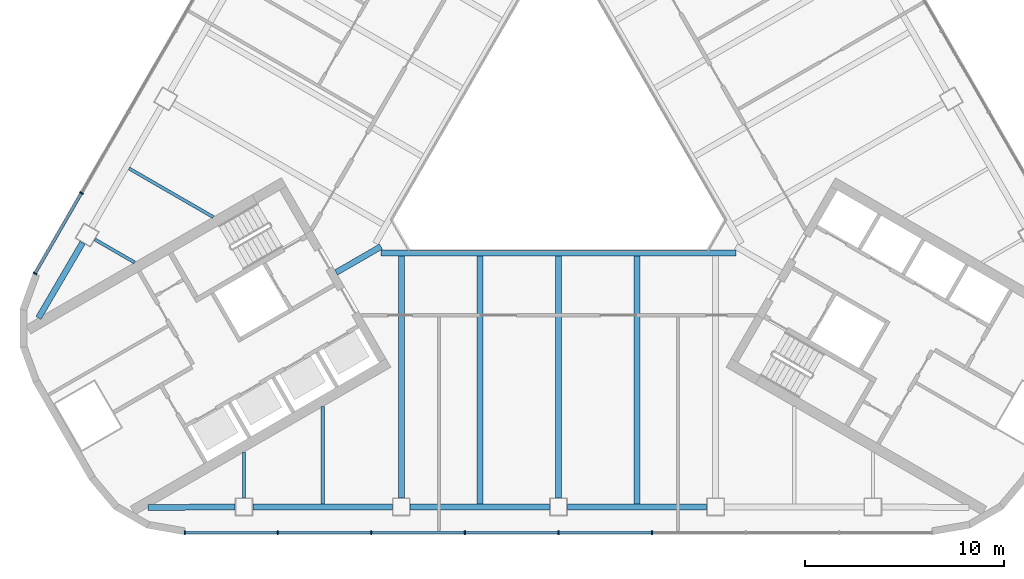
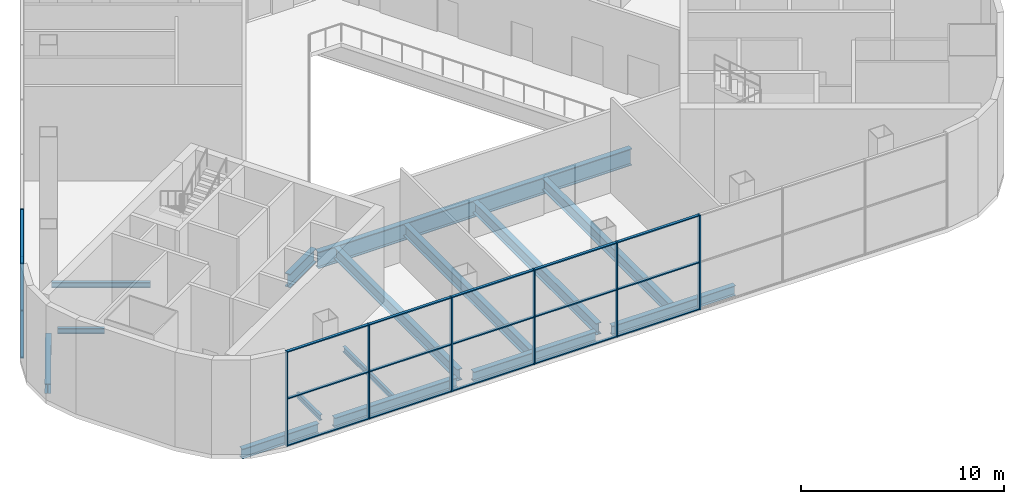
# One storey, part 2 of 14: 26 members, 15 beams, 2 elements without a shape of their own.
"""IFC4 building model written with IfcOpenShell, lengths in metres."""

import ifcopenshell
import ifcopenshell.guid

model = None  # the IFC model being written
_history = None  # IfcOwnerHistory: only IFC2X3 demands one
_inside = {}  # id of a spatial element -> (the spatial element, [elements in it])
_under = {}  # id of a project, library or spatial element -> (it, [spatial elements below it])
_declared = {}  # id of a project -> (the project, [libraries it declares])
_typed = {}  # id of a type object -> (the type object, [elements of that type])
_made_of = {}  # id of a material, layer set ... -> (it, [elements and type objects made of it])


def new_model(schema):
    """Start an empty IFC model of exactly this schema.

    Asked for "IFC4X3", IfcOpenShell would pick the latest addendum, in which some entities
    have other attributes; the version numbers below select the first issue.
    IFC2X3 requires an IfcOwnerHistory on every rooted entity: one is made here for all.
    """
    global model, _history
    if schema == "IFC4X3":
        model = ifcopenshell.file(schema_version=(4, 3, 0, 0))
    else:
        model = ifcopenshell.file(schema=schema)
    _inside.clear()
    _under.clear()
    _declared.clear()
    _typed.clear()
    _made_of.clear()
    _history = None
    if model.schema == "IFC2X3":
        org = make("IfcOrganization", Name="unknown")
        user = make(
            "IfcPersonAndOrganization",
            ThePerson=make("IfcPerson", FamilyName="unknown"),
            TheOrganization=org,
        )
        app = make(
            "IfcApplication",
            ApplicationDeveloper=org,
            Version="unknown",
            ApplicationFullName="unknown",
            ApplicationIdentifier="unknown",
        )
        _history = make(
            "IfcOwnerHistory",
            OwningUser=user,
            OwningApplication=app,
            ChangeAction="ADDED",
            CreationDate=0,
        )
    return model


def make(cls, **values):
    """One entity of the class cls with the attributes given. An attribute that is None is left unset."""
    return model.create_entity(
        cls, **{name: value for name, value in values.items() if value is not None}
    )


def rooted(cls, **values):
    """An entity with a GlobalId (a new one), such as an element, a storey or a relation."""
    return make(cls, GlobalId=ifcopenshell.guid.new(), OwnerHistory=_history, **values)


def si_unit(unit_type, name, prefix=None):
    """IfcSIUnit, for example si_unit("LENGTHUNIT", "METRE", prefix="MILLI")."""
    return make("IfcSIUnit", UnitType=unit_type, Prefix=prefix, Name=name)


def assignment(units):
    """IfcUnitAssignment: the units of a project."""
    return None if units is None else make("IfcUnitAssignment", Units=units)


def point(xyz):
    """IfcCartesianPoint."""
    return None if xyz is None else make("IfcCartesianPoint", Coordinates=xyz)


def direction(xyz):
    """IfcDirection."""
    return None if xyz is None else make("IfcDirection", DirectionRatios=xyz)


def frame(location, z_axis=None, x_axis=None):
    """IfcAxis2Placement3D, a coordinate frame: its origin and axes. An axis left out is left unset."""
    return make(
        "IfcAxis2Placement3D",
        Location=point(location),
        Axis=direction(z_axis),
        RefDirection=direction(x_axis),
    )


def frame_2d(location, x_axis=None):
    """IfcAxis2Placement2D, a coordinate frame in the plane: its origin and x axis."""
    return make(
        "IfcAxis2Placement2D", Location=point(location), RefDirection=direction(x_axis)
    )


def origin():
    """The frame at (0, 0, 0) with its axes left unset."""
    return frame((0.0, 0.0, 0.0))


def origin_2d():
    """The frame at (0, 0) in the plane with its x axis left unset."""
    return frame_2d((0.0, 0.0))


def place(relative_to, where):
    """IfcLocalPlacement: puts the frame where relative to a parent placement (None: the world)."""
    return make(
        "IfcLocalPlacement", PlacementRelTo=relative_to, RelativePlacement=where
    )


def context(
    kind, dimensions, precision=None, world=None, true_north=None, identifier=None
):
    """IfcGeometricRepresentationContext, for example the 3D "Model" context."""
    return make(
        "IfcGeometricRepresentationContext",
        ContextIdentifier=identifier,
        ContextType=kind,
        CoordinateSpaceDimension=dimensions,
        Precision=precision,
        WorldCoordinateSystem=world,
        TrueNorth=true_north,
    )


def subcontext(parent, identifier, kind, view, scale=None):
    """IfcGeometricRepresentationSubContext, for example "Body" below "Model"."""
    return make(
        "IfcGeometricRepresentationSubContext",
        ContextIdentifier=identifier,
        ContextType=kind,
        ParentContext=parent,
        TargetScale=scale,
        TargetView=view,
    )


def project(units=None, contexts=None):
    """IfcProject with its units and contexts."""
    return rooted(
        "IfcProject",
        Name="project",
        RepresentationContexts=contexts,
        UnitsInContext=assignment(units),
    )


def spatial(cls, under=None, at=None, **own):
    """A site, building, storey or space (cls), placed at a placement, below another one or the project."""
    s = rooted(cls, ObjectPlacement=at, **own)
    if under is not None:
        _under.setdefault(under.id(), (under, []))[1].append(s)
    return s


def profile(cls, at=None, kind="AREA", **sizes):
    """A parametric profile (cls). Its sizes go by their IFC names, for example OverallWidth=200.0."""
    return make(cls, ProfileType=kind, Position=at, **sizes)


def rectangle(**sizes):
    """IfcRectangleProfileDef."""
    return profile("IfcRectangleProfileDef", **sizes)


def i_section(**sizes):
    """IfcIShapeProfileDef."""
    return profile("IfcIShapeProfileDef", **sizes)


def extrude(swept, where, along, depth):
    """IfcExtrudedAreaSolid: the profile swept, set in the frame where, extruded along a direction by depth."""
    return make(
        "IfcExtrudedAreaSolid",
        SweptArea=swept,
        Position=where,
        ExtrudedDirection=direction(along),
        Depth=depth,
    )


def shape(context_of_items, identifier, shape_type, items):
    """IfcShapeRepresentation: the items that make up one representation, for example the "Body"."""
    return make(
        "IfcShapeRepresentation",
        ContextOfItems=context_of_items,
        RepresentationIdentifier=identifier,
        RepresentationType=shape_type,
        Items=items,
    )


def material(Name=None, Category=None):
    """IfcMaterial."""
    return make("IfcMaterial", Name=Name, Category=Category)


def layer(
    of_material, thickness, ventilated=None, Name=None, Category=None, Priority=None
):
    """IfcMaterialLayer: one layer of a wall or slab, of a material (None: an air gap)."""
    return make(
        "IfcMaterialLayer",
        Material=of_material,
        LayerThickness=thickness,
        IsVentilated=ventilated,
        Name=Name,
        Category=Category,
        Priority=Priority,
    )


def layer_set(layers, Name=None):
    """IfcMaterialLayerSet."""
    return make("IfcMaterialLayerSet", MaterialLayers=layers, LayerSetName=Name)


def material_profile(
    of_material, cross_section, Name=None, Category=None, Priority=None
):
    """IfcMaterialProfile: a cross section and its material."""
    return make(
        "IfcMaterialProfile",
        Name=Name,
        Material=of_material,
        Profile=cross_section,
        Priority=Priority,
        Category=Category,
    )


def profile_set(profiles, Name=None, composite=None):
    """IfcMaterialProfileSet."""
    return make(
        "IfcMaterialProfileSet",
        Name=Name,
        MaterialProfiles=profiles,
        CompositeProfile=composite,
    )


def made_of(thing, what):
    """Note that an element or type object is made of a material, layer set ...; save() writes the relation."""
    if what is not None:
        _made_of.setdefault(what.id(), (what, []))[1].append(thing)
    return thing


def type_object(cls, material=None, **own):
    """A type object (cls), such as IfcWallType, which elements share."""
    return made_of(rooted(cls, **own), material)


def element(
    cls,
    number,
    at=None,
    inside=None,
    cuts=None,
    type_object=None,
    material=None,
    context=None,
    identifier="Body",
    shape_type=None,
    held_by="IfcProductDefinitionShape",
    body=None,
    shapes=None,
    **own,
):
    """One element of the class cls, such as IfcWall. Its Tag is "e" and its number.

    at: its placement. inside: the storey or other place that contains it. cuts: it is an
    opening in that element (IfcRelVoidsElement). A single representation is given by context,
    identifier, shape_type and body (its items); several are given by shapes. held_by: the class
    of the entity that holds the representations. save() writes the other relations.
    """
    e = rooted(cls, Tag="e%d" % number, ObjectPlacement=at, **own)
    if body is not None:
        shapes = [shape(context, identifier, shape_type, body)]
    if shapes is not None:
        e.Representation = make(held_by, Representations=shapes)
    if inside is not None:
        _inside.setdefault(inside.id(), (inside, []))[1].append(e)
    if cuts is not None:
        rooted(
            "IfcRelVoidsElement", RelatingBuildingElement=cuts, RelatedOpeningElement=e
        )
    if type_object is not None:
        _typed.setdefault(type_object.id(), (type_object, []))[1].append(e)
    return made_of(e, material)


def aggregate(whole, parts):
    """IfcRelAggregates: a whole, such as a stair, and the parts it consists of."""
    return rooted("IfcRelAggregates", RelatingObject=whole, RelatedObjects=parts)


def save(model, path):
    """Write the relations noted so far, then the file.

    IfcRelAggregates (storeys below a building ...), IfcRelContainedInSpatialStructure (elements
    in a storey), IfcRelDefinesByType, IfcRelAssociatesMaterial and IfcRelDeclares: one each for
    every whole, place, type object, material and project.
    """
    for whole, parts in _under.values():
        aggregate(whole, parts)
    for where, things in _inside.values():
        rooted(
            "IfcRelContainedInSpatialStructure",
            RelatedElements=things,
            RelatingStructure=where,
        )
    for kind, things in _typed.values():
        rooted("IfcRelDefinesByType", RelatedObjects=things, RelatingType=kind)
    for what, things in _made_of.values():
        rooted("IfcRelAssociatesMaterial", RelatedObjects=things, RelatingMaterial=what)
    for by, libraries in _declared.values():
        rooted("IfcRelDeclares", RelatingContext=by, RelatedDefinitions=libraries)
    model.write(path)


model = new_model("IFC4")

# Units and contexts
model_context = context("Model", 3, precision=1e-05, world=origin(), true_north=direction((0.0, 1.0)))
body_context = subcontext(model_context, "Body", "Model", "MODEL_VIEW")
ifc_project = project(units=[si_unit("LENGTHUNIT", "METRE"), si_unit("AREAUNIT", "SQUARE_METRE"), si_unit("VOLUMEUNIT", "CUBIC_METRE"), si_unit("PLANEANGLEUNIT", "RADIAN"), si_unit("MASSUNIT", "GRAM", prefix="KILO")], contexts=[model_context])

# Site, building, storey
site_placement = place(None, origin())
site = spatial("IfcSite", under=ifc_project, at=site_placement, CompositionType="ELEMENT")
building_placement = place(site_placement, origin())
building = spatial("IfcBuilding", under=site, at=building_placement, Name="Apuvela Tower Hotel", CompositionType="ELEMENT")
storey_placement = place(building_placement, frame((0.0, 0.0, 131.60009765625)))
storey = spatial("IfcBuildingStorey", under=building, at=storey_placement, Name="L31", CompositionType="ELEMENT", Elevation=131.60009765625)

# Curtain wall, members
ifc_material_1 = material(Name="Aluminium 6063-T6, dark bronze anodised", Category="aluminium")
ifc_layer = layer(ifc_material_1, 0.199951171875)
ifc_layer_set = layer_set([ifc_layer], Name="ENV-CW-S")
curtain_wall_type = type_object("IfcCurtainWallType", Name="ENV-CW-S", PredefinedType="NOTDEFINED", material=ifc_layer_set)
curtain_wall_1_placement = place(storey_placement, origin())
curtain_wall_1 = element("IfcCurtainWall", 1, at=curtain_wall_1_placement, inside=storey, type_object=curtain_wall_type, Name="Curtain wall CW-S S L31", PredefinedType="NOTDEFINED")
ifc_material_profile_1 = material_profile(ifc_material_1, rectangle(XDim=0.199951171875, YDim=0.06494140625, at=origin_2d()), Name="AL 65x200")
ifc_profile_set_1 = profile_set([ifc_material_profile_1], Name="Aluminium 6063-T6, dark bronze anodised")
member_type_1 = type_object("IfcMemberType", Name="ENV-MULLION-65x200", PredefinedType="MULLION", material=ifc_profile_set_1)
member_1_placement = place(storey_placement, frame((-18.783203125, -19.530029296875, 0.0), z_axis=(0.0, 0.0, 1.0), x_axis=(0.0, 1.0, 0.0)))
member_1 = element("IfcMember", 2, at=member_1_placement, type_object=member_type_1, Name="CW-S mullion 1", PredefinedType="MULLION", context=body_context, shape_type="SweptSolid", body=[
    extrude(rectangle(XDim=0.199951171875, YDim=0.06494140625, at=origin_2d()), origin(), (0.0, 0.0, 1.0), 5.699951171875),
])
member_2_placement = place(storey_placement, frame((-14.11181640625, -19.530029296875, 0.0), z_axis=(0.0, 0.0, 1.0), x_axis=(0.0, 1.0, 0.0)))
member_2 = element("IfcMember", 3, at=member_2_placement, type_object=member_type_1, Name="CW-S mullion 2", PredefinedType="MULLION", context=body_context, shape_type="SweptSolid", body=[
    extrude(rectangle(XDim=0.199951171875, YDim=0.06494140625, at=origin_2d()), origin(), (0.0, 0.0, 1.0), 5.699951171875),
])
member_3_placement = place(storey_placement, frame((-9.407958984375, -19.530029296875, 0.0), z_axis=(0.0, 0.0, 1.0), x_axis=(0.0, 1.0, 0.0)))
member_3 = element("IfcMember", 4, at=member_3_placement, type_object=member_type_1, Name="CW-S mullion 3", PredefinedType="MULLION", context=body_context, shape_type="SweptSolid", body=[
    extrude(rectangle(XDim=0.199951171875, YDim=0.06494140625, at=origin_2d()), origin(), (0.0, 0.0, 1.0), 5.699951171875),
])
member_4_placement = place(storey_placement, frame((-4.703857421875, -19.530029296875, 0.0), z_axis=(0.0, 0.0, 1.0), x_axis=(0.0, 1.0, 0.0)))
member_4 = element("IfcMember", 5, at=member_4_placement, type_object=member_type_1, Name="CW-S mullion 4", PredefinedType="MULLION", context=body_context, shape_type="SweptSolid", body=[
    extrude(rectangle(XDim=0.199951171875, YDim=0.06494140625, at=origin_2d()), origin(), (0.0, 0.0, 1.0), 5.699951171875),
])
member_5_placement = place(storey_placement, frame((0.0, -19.530029296875, 0.0), z_axis=(0.0, 0.0, 1.0), x_axis=(0.0, 1.0, 0.0)))
member_5 = element("IfcMember", 6, at=member_5_placement, type_object=member_type_1, Name="CW-S mullion 5", PredefinedType="MULLION", context=body_context, shape_type="SweptSolid", body=[
    extrude(rectangle(XDim=0.199951171875, YDim=0.06494140625, at=origin_2d()), origin(), (0.0, 0.0, 1.0), 5.699951171875),
])
member_6_placement = place(storey_placement, frame((4.703857421875, -19.530029296875, 0.0), z_axis=(0.0, 0.0, 1.0), x_axis=(0.0, 1.0, 0.0)))
member_6 = element("IfcMember", 7, at=member_6_placement, type_object=member_type_1, Name="CW-S mullion 6", PredefinedType="MULLION", context=body_context, shape_type="SweptSolid", body=[
    extrude(rectangle(XDim=0.199951171875, YDim=0.06494140625, at=origin_2d()), origin(), (0.0, 0.0, 1.0), 5.699951171875),
])

curtain_wall_2_placement = place(storey_placement, origin())
curtain_wall_2 = element("IfcCurtainWall", 8, at=curtain_wall_2_placement, inside=storey, type_object=curtain_wall_type, Name="Curtain wall CW-S NW L31", PredefinedType="NOTDEFINED")
member_7_placement = place(storey_placement, frame((-23.969482421875, -2.456298828125, 0.0), z_axis=(0.0, 0.0, 1.0), x_axis=(0.866025924721, -0.49999909771, 0.0)))
member_7 = element("IfcMember", 9, at=member_7_placement, type_object=member_type_1, Name="CW-S mullion 8", PredefinedType="MULLION", context=body_context, shape_type="SweptSolid", body=[
    extrude(rectangle(XDim=0.199951171875, YDim=0.06494140625, at=origin_2d()), origin(), (0.0, 0.0, 1.0), 5.699951171875),
])
member_8_placement = place(storey_placement, frame((-26.30517578125, -6.501953125, 0.0), z_axis=(0.0, 0.0, 1.0), x_axis=(0.866025924721, -0.49999909771, 0.0)))
member_8 = element("IfcMember", 10, at=member_8_placement, type_object=member_type_1, Name="CW-S mullion 9", PredefinedType="MULLION", context=body_context, shape_type="SweptSolid", body=[
    extrude(rectangle(XDim=0.199951171875, YDim=0.06494140625, at=origin_2d()), origin(), (0.0, 0.0, 1.0), 5.699951171875),
])

# Member
ifc_material_profile_2 = material_profile(ifc_material_1, rectangle(XDim=0.14990234375, YDim=0.06494140625, at=origin_2d()), Name="AL 65x150 transom")
ifc_profile_set_2 = profile_set([ifc_material_profile_2], Name="Aluminium 6063-T6, dark bronze anodised")
member_type_2 = type_object("IfcMemberType", Name="ENV-TRANSOM-65x150", PredefinedType="USERDEFINED", material=ifc_profile_set_2)
member_9_placement = place(storey_placement, frame((-18.750732421875, -19.530029296875, 0.032470703125), z_axis=(1.0, 0.0, 0.0), x_axis=(0.0, 1.0, 0.0)))
member_9 = element("IfcMember", 11, at=member_9_placement, type_object=member_type_2, Name="CW-S transom 1.1", ObjectType="TRANSOM", PredefinedType="USERDEFINED", context=body_context, shape_type="SweptSolid", body=[
    extrude(rectangle(XDim=0.14990234375, YDim=0.06494140625, at=origin_2d()), origin(), (0.0, 0.0, 1.0), 4.6064453125),
])

member_10_placement = place(storey_placement, frame((-18.750732421875, -19.530029296875, 2.849853515625), z_axis=(1.0, 0.0, 0.0), x_axis=(0.0, 1.0, 0.0)))
member_10 = element("IfcMember", 12, at=member_10_placement, type_object=member_type_2, Name="CW-S transom 1.2", ObjectType="TRANSOM", PredefinedType="USERDEFINED", context=body_context, shape_type="SweptSolid", body=[
    extrude(rectangle(XDim=0.14990234375, YDim=0.06494140625, at=origin_2d()), origin(), (0.0, 0.0, 1.0), 4.6064453125),
])

member_11_placement = place(storey_placement, frame((-18.750732421875, -19.530029296875, 5.66748046875), z_axis=(1.0, 0.0, 0.0), x_axis=(0.0, 1.0, 0.0)))
member_11 = element("IfcMember", 13, at=member_11_placement, type_object=member_type_2, Name="CW-S transom 1.3", ObjectType="TRANSOM", PredefinedType="USERDEFINED", context=body_context, shape_type="SweptSolid", body=[
    extrude(rectangle(XDim=0.14990234375, YDim=0.06494140625, at=origin_2d()), origin(), (0.0, 0.0, 1.0), 4.6064453125),
])

member_12_placement = place(storey_placement, frame((-14.079345703125, -19.530029296875, 0.032470703125), z_axis=(1.0, 0.0, 0.0), x_axis=(0.0, 1.0, 0.0)))
member_12 = element("IfcMember", 14, at=member_12_placement, type_object=member_type_2, Name="CW-S transom 2.1", ObjectType="TRANSOM", PredefinedType="USERDEFINED", context=body_context, shape_type="SweptSolid", body=[
    extrude(rectangle(XDim=0.14990234375, YDim=0.06494140625, at=origin_2d()), origin(), (0.0, 0.0, 1.0), 4.638916015625),
])

member_13_placement = place(storey_placement, frame((-14.079345703125, -19.530029296875, 2.849853515625), z_axis=(1.0, 0.0, 0.0), x_axis=(0.0, 1.0, 0.0)))
member_13 = element("IfcMember", 15, at=member_13_placement, type_object=member_type_2, Name="CW-S transom 2.2", ObjectType="TRANSOM", PredefinedType="USERDEFINED", context=body_context, shape_type="SweptSolid", body=[
    extrude(rectangle(XDim=0.14990234375, YDim=0.06494140625, at=origin_2d()), origin(), (0.0, 0.0, 1.0), 4.638916015625),
])

member_14_placement = place(storey_placement, frame((-14.079345703125, -19.530029296875, 5.66748046875), z_axis=(1.0, 0.0, 0.0), x_axis=(0.0, 1.0, 0.0)))
member_14 = element("IfcMember", 16, at=member_14_placement, type_object=member_type_2, Name="CW-S transom 2.3", ObjectType="TRANSOM", PredefinedType="USERDEFINED", context=body_context, shape_type="SweptSolid", body=[
    extrude(rectangle(XDim=0.14990234375, YDim=0.06494140625, at=origin_2d()), origin(), (0.0, 0.0, 1.0), 4.638916015625),
])

member_15_placement = place(storey_placement, frame((-9.37548828125, -19.530029296875, 0.032470703125), z_axis=(1.0, 0.0, 0.0), x_axis=(0.0, 1.0, 0.0)))
member_15 = element("IfcMember", 17, at=member_15_placement, type_object=member_type_2, Name="CW-S transom 3.1", ObjectType="TRANSOM", PredefinedType="USERDEFINED", context=body_context, shape_type="SweptSolid", body=[
    extrude(rectangle(XDim=0.14990234375, YDim=0.06494140625, at=origin_2d()), origin(), (0.0, 0.0, 1.0), 4.63916015625),
])

member_16_placement = place(storey_placement, frame((-9.37548828125, -19.530029296875, 2.849853515625), z_axis=(1.0, 0.0, 0.0), x_axis=(0.0, 1.0, 0.0)))
member_16 = element("IfcMember", 18, at=member_16_placement, type_object=member_type_2, Name="CW-S transom 3.2", ObjectType="TRANSOM", PredefinedType="USERDEFINED", context=body_context, shape_type="SweptSolid", body=[
    extrude(rectangle(XDim=0.14990234375, YDim=0.06494140625, at=origin_2d()), origin(), (0.0, 0.0, 1.0), 4.63916015625),
])

member_17_placement = place(storey_placement, frame((-9.37548828125, -19.530029296875, 5.66748046875), z_axis=(1.0, 0.0, 0.0), x_axis=(0.0, 1.0, 0.0)))
member_17 = element("IfcMember", 19, at=member_17_placement, type_object=member_type_2, Name="CW-S transom 3.3", ObjectType="TRANSOM", PredefinedType="USERDEFINED", context=body_context, shape_type="SweptSolid", body=[
    extrude(rectangle(XDim=0.14990234375, YDim=0.06494140625, at=origin_2d()), origin(), (0.0, 0.0, 1.0), 4.63916015625),
])

member_18_placement = place(storey_placement, frame((-4.67138671875, -19.530029296875, 0.032470703125), z_axis=(1.0, 0.0, 0.0), x_axis=(0.0, 1.0, 0.0)))
member_18 = element("IfcMember", 20, at=member_18_placement, type_object=member_type_2, Name="CW-S transom 4.1", ObjectType="TRANSOM", PredefinedType="USERDEFINED", context=body_context, shape_type="SweptSolid", body=[
    extrude(rectangle(XDim=0.14990234375, YDim=0.06494140625, at=origin_2d()), origin(), (0.0, 0.0, 1.0), 4.638916015625),
])

member_19_placement = place(storey_placement, frame((-4.67138671875, -19.530029296875, 2.849853515625), z_axis=(1.0, 0.0, 0.0), x_axis=(0.0, 1.0, 0.0)))
member_19 = element("IfcMember", 21, at=member_19_placement, type_object=member_type_2, Name="CW-S transom 4.2", ObjectType="TRANSOM", PredefinedType="USERDEFINED", context=body_context, shape_type="SweptSolid", body=[
    extrude(rectangle(XDim=0.14990234375, YDim=0.06494140625, at=origin_2d()), origin(), (0.0, 0.0, 1.0), 4.638916015625),
])

member_20_placement = place(storey_placement, frame((-4.67138671875, -19.530029296875, 5.66748046875), z_axis=(1.0, 0.0, 0.0), x_axis=(0.0, 1.0, 0.0)))
member_20 = element("IfcMember", 22, at=member_20_placement, type_object=member_type_2, Name="CW-S transom 4.3", ObjectType="TRANSOM", PredefinedType="USERDEFINED", context=body_context, shape_type="SweptSolid", body=[
    extrude(rectangle(XDim=0.14990234375, YDim=0.06494140625, at=origin_2d()), origin(), (0.0, 0.0, 1.0), 4.638916015625),
])

member_21_placement = place(storey_placement, frame((0.032470703125, -19.530029296875, 0.032470703125), z_axis=(1.0, 0.0, 0.0), x_axis=(0.0, 1.0, 0.0)))
member_21 = element("IfcMember", 23, at=member_21_placement, type_object=member_type_2, Name="CW-S transom 5.1", ObjectType="TRANSOM", PredefinedType="USERDEFINED", context=body_context, shape_type="SweptSolid", body=[
    extrude(rectangle(XDim=0.14990234375, YDim=0.06494140625, at=origin_2d()), origin(), (0.0, 0.0, 1.0), 4.638916015625),
])

member_22_placement = place(storey_placement, frame((0.032470703125, -19.530029296875, 2.849853515625), z_axis=(1.0, 0.0, 0.0), x_axis=(0.0, 1.0, 0.0)))
member_22 = element("IfcMember", 24, at=member_22_placement, type_object=member_type_2, Name="CW-S transom 5.2", ObjectType="TRANSOM", PredefinedType="USERDEFINED", context=body_context, shape_type="SweptSolid", body=[
    extrude(rectangle(XDim=0.14990234375, YDim=0.06494140625, at=origin_2d()), origin(), (0.0, 0.0, 1.0), 4.638916015625),
])

member_23_placement = place(storey_placement, frame((0.032470703125, -19.530029296875, 5.66748046875), z_axis=(1.0, 0.0, 0.0), x_axis=(0.0, 1.0, 0.0)))
member_23 = element("IfcMember", 25, at=member_23_placement, type_object=member_type_2, Name="CW-S transom 5.3", ObjectType="TRANSOM", PredefinedType="USERDEFINED", context=body_context, shape_type="SweptSolid", body=[
    extrude(rectangle(XDim=0.14990234375, YDim=0.06494140625, at=origin_2d()), origin(), (0.0, 0.0, 1.0), 4.638916015625),
])

aggregate(curtain_wall_1, [member_1, member_2, member_3, member_4, member_5, member_6, member_9, member_10, member_11, member_12, member_13, member_14, member_15, member_16, member_17, member_18, member_19, member_20, member_21, member_22, member_23])

member_24_placement = place(storey_placement, frame((-23.985595703125, -2.484375, 0.032470703125), z_axis=(-0.500003839917, -0.866023186796, 0.0), x_axis=(0.866023186796, -0.500003839917, 0.0)))
member_24 = element("IfcMember", 26, at=member_24_placement, type_object=member_type_2, Name="CW-S transom 8.1", ObjectType="TRANSOM", PredefinedType="USERDEFINED", context=body_context, shape_type="SweptSolid", body=[
    extrude(rectangle(XDim=0.14990234375, YDim=0.06494140625, at=origin_2d()), origin(), (0.0, 0.0, 1.0), 4.6064453125),
])

member_25_placement = place(storey_placement, frame((-23.985595703125, -2.484375, 2.849853515625), z_axis=(-0.500003839917, -0.866023186796, 0.0), x_axis=(0.866023186796, -0.500003839917, 0.0)))
member_25 = element("IfcMember", 27, at=member_25_placement, type_object=member_type_2, Name="CW-S transom 8.2", ObjectType="TRANSOM", PredefinedType="USERDEFINED", context=body_context, shape_type="SweptSolid", body=[
    extrude(rectangle(XDim=0.14990234375, YDim=0.06494140625, at=origin_2d()), origin(), (0.0, 0.0, 1.0), 4.6064453125),
])

member_26_placement = place(storey_placement, frame((-23.985595703125, -2.484375, 5.66748046875), z_axis=(-0.500003839917, -0.866023186796, 0.0), x_axis=(0.866023186796, -0.500003839917, 0.0)))
member_26 = element("IfcMember", 28, at=member_26_placement, type_object=member_type_2, Name="CW-S transom 8.3", ObjectType="TRANSOM", PredefinedType="USERDEFINED", context=body_context, shape_type="SweptSolid", body=[
    extrude(rectangle(XDim=0.14990234375, YDim=0.06494140625, at=origin_2d()), origin(), (0.0, 0.0, 1.0), 4.6064453125),
])

aggregate(curtain_wall_2, [member_7, member_8, member_24, member_25, member_26])

# Beams
ifc_material_2 = material(Name="Steel S355", Category="steel")
ifc_material_profile_3 = material_profile(ifc_material_2, i_section(OverallWidth=0.300048828125, OverallDepth=0.68994140625, WebThickness=0.014404296875, FlangeThickness=0.027099609375, at=origin_2d()), Name="HE 700 A")
ifc_profile_set_3 = profile_set([ifc_material_profile_3], Name="Steel S355")
beam_type_1 = type_object("IfcBeamType", Name="STR-B floor beam HE 700 A", PredefinedType="BEAM", material=ifc_profile_set_3)
beam_1_placement = place(storey_placement, frame((-7.89990234375, -17.780029296875, -0.59521484375), z_axis=(0.0, 1.0, 0.0), x_axis=(-1.0, 0.0, 0.0)))
element("IfcBeam", 29, at=beam_1_placement, inside=storey, type_object=beam_type_1, Name="Floor beam B6 S3", PredefinedType="BEAM", context=body_context, shape_type="SweptSolid", body=[
    extrude(i_section(OverallWidth=0.300048828125, OverallDepth=0.68994140625, WebThickness=0.014404296875, FlangeThickness=0.027099609375, at=origin_2d()), origin(), (0.0, 0.0, 1.0), 12.157958984375),
])
beam_2_placement = place(storey_placement, frame((-3.949951171875, -18.080078125, -0.59521484375), z_axis=(0.0, 1.0, 0.0), x_axis=(-1.0, 0.0, 0.0)))
element("IfcBeam", 30, at=beam_2_placement, inside=storey, type_object=beam_type_1, Name="Floor beam B6 S4", PredefinedType="BEAM", context=body_context, shape_type="SweptSolid", body=[
    extrude(i_section(OverallWidth=0.300048828125, OverallDepth=0.68994140625, WebThickness=0.014404296875, FlangeThickness=0.027099609375, at=origin_2d()), origin(), (0.0, 0.0, 1.0), 12.4580078125),
])
beam_3_placement = place(storey_placement, frame((0.0, -17.780029296875, -0.59521484375), z_axis=(0.0, 1.0, 0.0), x_axis=(-1.0, 0.0, 0.0)))
element("IfcBeam", 31, at=beam_3_placement, inside=storey, type_object=beam_type_1, Name="Floor beam B6 S5", PredefinedType="BEAM", context=body_context, shape_type="SweptSolid", body=[
    extrude(i_section(OverallWidth=0.300048828125, OverallDepth=0.68994140625, WebThickness=0.014404296875, FlangeThickness=0.027099609375, at=origin_2d()), origin(), (0.0, 0.0, 1.0), 12.157958984375),
])
beam_4_placement = place(storey_placement, frame((3.949951171875, -18.080078125, -0.59521484375), z_axis=(0.0, 1.0, 0.0), x_axis=(-1.0, 0.0, 0.0)))
element("IfcBeam", 32, at=beam_4_placement, inside=storey, type_object=beam_type_1, Name="Floor beam B6 S6", PredefinedType="BEAM", context=body_context, shape_type="SweptSolid", body=[
    extrude(i_section(OverallWidth=0.300048828125, OverallDepth=0.68994140625, WebThickness=0.014404296875, FlangeThickness=0.027099609375, at=origin_2d()), origin(), (0.0, 0.0, 1.0), 12.4580078125),
])
ifc_material_profile_4 = material_profile(ifc_material_2, i_section(OverallWidth=0.159912109375, OverallDepth=0.330078125, WebThickness=0.007568359375, FlangeThickness=0.011474609375, at=origin_2d()), Name="IPE 330")
ifc_profile_set_4 = profile_set([ifc_material_profile_4], Name="Steel S355")
beam_type_2 = type_object("IfcBeamType", Name="STR-B floor beam IPE 330", PredefinedType="BEAM", material=ifc_profile_set_4)
beam_5_placement = place(storey_placement, frame((-21.582763671875, -1.222412109375, -0.4150390625), z_axis=(0.866015056278, -0.500017921979, 0.0), x_axis=(0.500017921979, 0.866015056278, 0.0)))
element("IfcBeam", 33, at=beam_5_placement, inside=storey, type_object=beam_type_2, Name="Floor beam B1 NW8", PredefinedType="BEAM", context=body_context, shape_type="SweptSolid", body=[
    extrude(i_section(OverallWidth=0.159912109375, OverallDepth=0.330078125, WebThickness=0.007568359375, FlangeThickness=0.011474609375, at=origin_2d()), origin(), (0.0, 0.0, 1.0), 4.887451171875),
])
beam_6_placement = place(storey_placement, frame((-23.2978515625, -4.793212890625, -0.4150390625), z_axis=(0.866000531106, -0.500043078269, 0.0), x_axis=(0.500043078269, 0.866000531106, 0.0)))
element("IfcBeam", 34, at=beam_6_placement, inside=storey, type_object=beam_type_2, Name="Floor beam B1 NW9", PredefinedType="BEAM", context=body_context, shape_type="SweptSolid", body=[
    extrude(i_section(OverallWidth=0.159912109375, OverallDepth=0.330078125, WebThickness=0.007568359375, FlangeThickness=0.011474609375, at=origin_2d()), origin(), (0.0, 0.0, 1.0), 2.306884765625),
])
beam_7_placement = place(storey_placement, frame((-15.800048828125, -17.780029296875, -0.4150390625), z_axis=(0.0, 1.0, 0.0), x_axis=(-1.0, 0.0, 0.0)))
element("IfcBeam", 35, at=beam_7_placement, inside=storey, type_object=beam_type_2, Name="Floor beam B1 S1", PredefinedType="BEAM", context=body_context, shape_type="SweptSolid", body=[
    extrude(i_section(OverallWidth=0.159912109375, OverallDepth=0.330078125, WebThickness=0.007568359375, FlangeThickness=0.011474609375, at=origin_2d()), origin(), (0.0, 0.0, 1.0), 2.30712890625),
])
beam_8_placement = place(storey_placement, frame((-11.85009765625, -18.080078125, -0.4150390625), z_axis=(0.0, 1.0, 0.0), x_axis=(-1.0, 0.0, 0.0)))
element("IfcBeam", 36, at=beam_8_placement, inside=storey, type_object=beam_type_2, Name="Floor beam B1 S2", PredefinedType="BEAM", context=body_context, shape_type="SweptSolid", body=[
    extrude(i_section(OverallWidth=0.159912109375, OverallDepth=0.330078125, WebThickness=0.007568359375, FlangeThickness=0.011474609375, at=origin_2d()), origin(), (0.0, 0.0, 1.0), 4.8876953125),
])
ifc_material_profile_5 = material_profile(ifc_material_2, i_section(OverallWidth=0.302001953125, OverallDepth=1.008056640625, WebThickness=0.02099609375, FlangeThickness=0.0400390625, at=origin_2d()), Name="HE 1000 M")
ifc_profile_set_5 = profile_set([ifc_material_profile_5], Name="Steel S355")
beam_type_3 = type_object("IfcBeamType", Name="STR-G atrium ring girder HE 1000 M", PredefinedType="BEAM", material=ifc_profile_set_5)
beam_9_placement = place(storey_placement, frame((-8.91455078125, -5.470947265625, -0.754150390625), z_axis=(1.0, 0.0, 0.0), x_axis=(0.0, 1.0, 0.0)))
element("IfcBeam", 37, at=beam_9_placement, inside=storey, type_object=beam_type_3, Name="Atrium ring girder G1 SW-SE", PredefinedType="BEAM", context=body_context, shape_type="SweptSolid", body=[
    extrude(i_section(OverallWidth=0.302001953125, OverallDepth=1.008056640625, WebThickness=0.02099609375, FlangeThickness=0.0400390625, at=origin_2d()), origin(), (0.0, 0.0, 1.0), 17.8291015625),
])
ifc_material_profile_6 = material_profile(ifc_material_2, i_section(OverallWidth=0.300048828125, OverallDepth=0.800048828125, WebThickness=0.017578125, FlangeThickness=0.032958984375, at=origin_2d()), Name="HE 800 B")
ifc_profile_set_6 = profile_set([ifc_material_profile_6], Name="Steel S355")
beam_type_4 = type_object("IfcBeamType", Name="STR-GT core tie beam HE 800 B", PredefinedType="BEAM", material=ifc_profile_set_6)
beam_10_placement = place(storey_placement, frame((-11.171630859375, -6.449951171875, -0.650146484375), z_axis=(0.865997922154, 0.500047596559, 0.0), x_axis=(-0.500047596559, 0.865997922154, 0.0)))
element("IfcBeam", 38, at=beam_10_placement, inside=storey, type_object=beam_type_4, Name="Core tie beam GT1 SW", PredefinedType="BEAM", context=body_context, shape_type="SweptSolid", body=[
    extrude(i_section(OverallWidth=0.300048828125, OverallDepth=0.800048828125, WebThickness=0.017578125, FlangeThickness=0.032958984375, at=origin_2d()), origin(), (0.0, 0.0, 1.0), 2.599853515625),
])
ifc_material_profile_7 = material_profile(ifc_material_2, i_section(OverallWidth=0.300048828125, OverallDepth=0.590087890625, WebThickness=0.012939453125, FlangeThickness=0.02490234375, at=origin_2d()), Name="HE 600 A")
ifc_profile_set_7 = profile_set([ifc_material_profile_7], Name="Steel S355")
beam_type_5 = type_object("IfcBeamType", Name="STR-SB spandrel beam HE 600 A", PredefinedType="SPANDREL", material=ifc_profile_set_7)
for number, where, z_axis, x_axis, name in (
    (39, (-15.35009765625, -18.22998046875, -0.545166015625), (1.0, 0.0, 0.0), (0.0, 1.0, 0.0), "Spandrel beam SB2 S1"),
    (40, (-7.449951171875, -18.22998046875, -0.545166015625), (1.0, 0.0, 0.0), (0.0, 1.0, 0.0), "Spandrel beam SB2 S2"),
    (41, (0.449951171875, -18.22998046875, -0.545166015625), (1.0, 0.0, 0.0), (0.0, 1.0, 0.0), "Spandrel beam SB2 S3"),
):
    element("IfcBeam", number, at=place(storey_placement, frame(where, z_axis=z_axis, x_axis=x_axis)), inside=storey, type_object=beam_type_5, Name=name, PredefinedType="SPANDREL", context=body_context, shape_type="SweptSolid", body=[
        extrude(i_section(OverallWidth=0.300048828125, OverallDepth=0.590087890625, WebThickness=0.012939453125, FlangeThickness=0.02490234375, at=origin_2d()), origin(), (0.0, 0.0, 1.0), 7.0),
    ])
for number, where, z_axis, x_axis, name in (
    (42, (-16.25, -18.233154296875, -0.545166015625), (-0.999976528586, -0.006851443461, 0.0), (0.006851443461, -0.999976528586, 0.0), "Spandrel beam SB2 S1-SW"),
    (43, (-23.915283203125, -4.956298828125, -0.545166015625), (-0.505951068275, -0.862562181244, 0.0), (0.862562181244, -0.505951068275, 0.0), "Spandrel beam SB2 NW5-SW"),
):
    element("IfcBeam", number, at=place(storey_placement, frame(where, z_axis=z_axis, x_axis=x_axis)), inside=storey, type_object=beam_type_5, Name=name, PredefinedType="SPANDREL", context=body_context, shape_type="SweptSolid", body=[
        extrude(i_section(OverallWidth=0.300048828125, OverallDepth=0.590087890625, WebThickness=0.012939453125, FlangeThickness=0.02490234375, at=origin_2d()), origin(), (0.0, 0.0, 1.0), 4.3828125),
    ])

save(model, "model.ifc")
